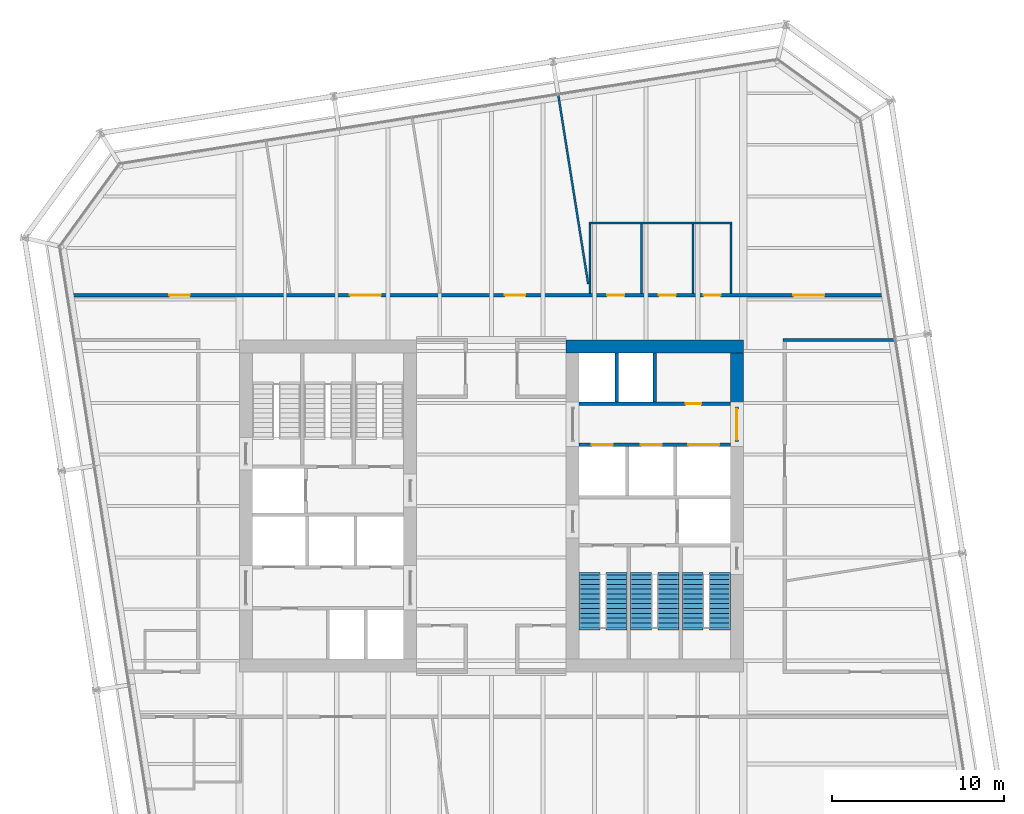
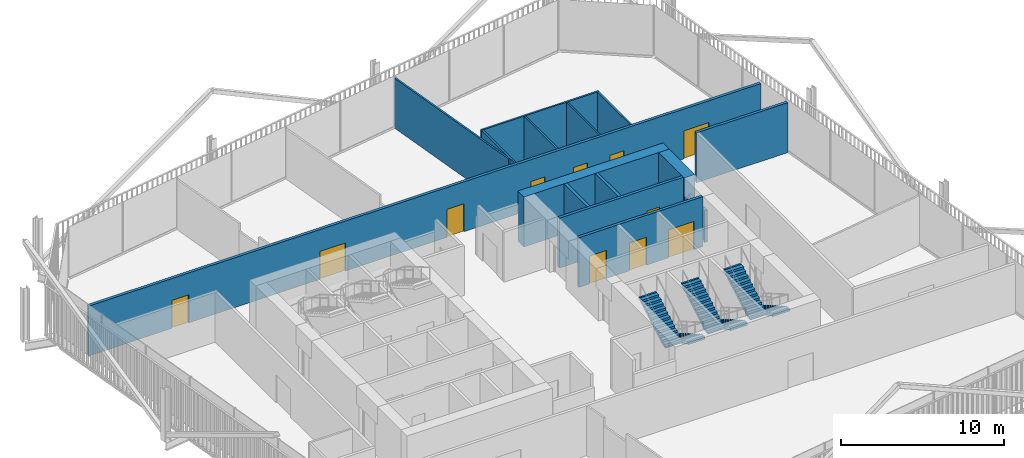
# One storey, part 20 of 22: 15 walls, 12 doors, 6 stair flights, 12 openings, 3 elements without a shape of their own.
"""IFC4 building model written with IfcOpenShell, lengths in metres."""

import ifcopenshell
import ifcopenshell.guid

model = None  # the IFC model being written
_history = None  # IfcOwnerHistory: only IFC2X3 demands one
_inside = {}  # id of a spatial element -> (the spatial element, [elements in it])
_under = {}  # id of a project, library or spatial element -> (it, [spatial elements below it])
_declared = {}  # id of a project -> (the project, [libraries it declares])
_typed = {}  # id of a type object -> (the type object, [elements of that type])
_made_of = {}  # id of a material, layer set ... -> (it, [elements and type objects made of it])


def new_model(schema):
    """Start an empty IFC model of exactly this schema.

    Asked for "IFC4X3", IfcOpenShell would pick the latest addendum, in which some entities
    have other attributes; the version numbers below select the first issue.
    IFC2X3 requires an IfcOwnerHistory on every rooted entity: one is made here for all.
    """
    global model, _history
    if schema == "IFC4X3":
        model = ifcopenshell.file(schema_version=(4, 3, 0, 0))
    else:
        model = ifcopenshell.file(schema=schema)
    _inside.clear()
    _under.clear()
    _declared.clear()
    _typed.clear()
    _made_of.clear()
    _history = None
    if model.schema == "IFC2X3":
        org = make("IfcOrganization", Name="unknown")
        user = make(
            "IfcPersonAndOrganization",
            ThePerson=make("IfcPerson", FamilyName="unknown"),
            TheOrganization=org,
        )
        app = make(
            "IfcApplication",
            ApplicationDeveloper=org,
            Version="unknown",
            ApplicationFullName="unknown",
            ApplicationIdentifier="unknown",
        )
        _history = make(
            "IfcOwnerHistory",
            OwningUser=user,
            OwningApplication=app,
            ChangeAction="ADDED",
            CreationDate=0,
        )
    return model


def make(cls, **values):
    """One entity of the class cls with the attributes given. An attribute that is None is left unset."""
    return model.create_entity(
        cls, **{name: value for name, value in values.items() if value is not None}
    )


def rooted(cls, **values):
    """An entity with a GlobalId (a new one), such as an element, a storey or a relation."""
    return make(cls, GlobalId=ifcopenshell.guid.new(), OwnerHistory=_history, **values)


def si_unit(unit_type, name, prefix=None):
    """IfcSIUnit, for example si_unit("LENGTHUNIT", "METRE", prefix="MILLI")."""
    return make("IfcSIUnit", UnitType=unit_type, Prefix=prefix, Name=name)


def assignment(units):
    """IfcUnitAssignment: the units of a project."""
    return None if units is None else make("IfcUnitAssignment", Units=units)


def point(xyz):
    """IfcCartesianPoint."""
    return None if xyz is None else make("IfcCartesianPoint", Coordinates=xyz)


def direction(xyz):
    """IfcDirection."""
    return None if xyz is None else make("IfcDirection", DirectionRatios=xyz)


def frame(location, z_axis=None, x_axis=None):
    """IfcAxis2Placement3D, a coordinate frame: its origin and axes. An axis left out is left unset."""
    return make(
        "IfcAxis2Placement3D",
        Location=point(location),
        Axis=direction(z_axis),
        RefDirection=direction(x_axis),
    )


def frame_2d(location, x_axis=None):
    """IfcAxis2Placement2D, a coordinate frame in the plane: its origin and x axis."""
    return make(
        "IfcAxis2Placement2D", Location=point(location), RefDirection=direction(x_axis)
    )


def origin():
    """The frame at (0, 0, 0) with its axes left unset."""
    return frame((0.0, 0.0, 0.0))


def place(relative_to, where):
    """IfcLocalPlacement: puts the frame where relative to a parent placement (None: the world)."""
    return make(
        "IfcLocalPlacement", PlacementRelTo=relative_to, RelativePlacement=where
    )


def context(
    kind, dimensions, precision=None, world=None, true_north=None, identifier=None
):
    """IfcGeometricRepresentationContext, for example the 3D "Model" context."""
    return make(
        "IfcGeometricRepresentationContext",
        ContextIdentifier=identifier,
        ContextType=kind,
        CoordinateSpaceDimension=dimensions,
        Precision=precision,
        WorldCoordinateSystem=world,
        TrueNorth=true_north,
    )


def subcontext(parent, identifier, kind, view, scale=None):
    """IfcGeometricRepresentationSubContext, for example "Body" below "Model"."""
    return make(
        "IfcGeometricRepresentationSubContext",
        ContextIdentifier=identifier,
        ContextType=kind,
        ParentContext=parent,
        TargetScale=scale,
        TargetView=view,
    )


def project(units=None, contexts=None):
    """IfcProject with its units and contexts."""
    return rooted(
        "IfcProject",
        Name="project",
        RepresentationContexts=contexts,
        UnitsInContext=assignment(units),
    )


def spatial(cls, under=None, at=None, **own):
    """A site, building, storey or space (cls), placed at a placement, below another one or the project."""
    s = rooted(cls, ObjectPlacement=at, **own)
    if under is not None:
        _under.setdefault(under.id(), (under, []))[1].append(s)
    return s


def polyline(points):
    """IfcPolyline through the points."""
    return make("IfcPolyline", Points=[point(p) for p in points])


def profile(cls, at=None, kind="AREA", **sizes):
    """A parametric profile (cls). Its sizes go by their IFC names, for example OverallWidth=200.0."""
    return make(cls, ProfileType=kind, Position=at, **sizes)


def rectangle(**sizes):
    """IfcRectangleProfileDef."""
    return profile("IfcRectangleProfileDef", **sizes)


def outline(outer, holes=None, kind="AREA"):
    """IfcArbitraryClosedProfileDef: a profile drawn as a closed curve; with holes, ...WithVoids."""
    if holes is None:
        return make("IfcArbitraryClosedProfileDef", ProfileType=kind, OuterCurve=outer)
    return make(
        "IfcArbitraryProfileDefWithVoids",
        ProfileType=kind,
        OuterCurve=outer,
        InnerCurves=holes,
    )


def extrude(swept, where, along, depth):
    """IfcExtrudedAreaSolid: the profile swept, set in the frame where, extruded along a direction by depth."""
    return make(
        "IfcExtrudedAreaSolid",
        SweptArea=swept,
        Position=where,
        ExtrudedDirection=direction(along),
        Depth=depth,
    )


def shape(context_of_items, identifier, shape_type, items):
    """IfcShapeRepresentation: the items that make up one representation, for example the "Body"."""
    return make(
        "IfcShapeRepresentation",
        ContextOfItems=context_of_items,
        RepresentationIdentifier=identifier,
        RepresentationType=shape_type,
        Items=items,
    )


def material(Name=None, Category=None):
    """IfcMaterial."""
    return make("IfcMaterial", Name=Name, Category=Category)


def layer(
    of_material, thickness, ventilated=None, Name=None, Category=None, Priority=None
):
    """IfcMaterialLayer: one layer of a wall or slab, of a material (None: an air gap)."""
    return make(
        "IfcMaterialLayer",
        Material=of_material,
        LayerThickness=thickness,
        IsVentilated=ventilated,
        Name=Name,
        Category=Category,
        Priority=Priority,
    )


def layer_set(layers, Name=None):
    """IfcMaterialLayerSet."""
    return make("IfcMaterialLayerSet", MaterialLayers=layers, LayerSetName=Name)


def made_of(thing, what):
    """Note that an element or type object is made of a material, layer set ...; save() writes the relation."""
    if what is not None:
        _made_of.setdefault(what.id(), (what, []))[1].append(thing)
    return thing


def type_object(cls, material=None, **own):
    """A type object (cls), such as IfcWallType, which elements share."""
    return made_of(rooted(cls, **own), material)


def element(
    cls,
    number,
    at=None,
    inside=None,
    cuts=None,
    type_object=None,
    material=None,
    context=None,
    identifier="Body",
    shape_type=None,
    held_by="IfcProductDefinitionShape",
    body=None,
    shapes=None,
    **own,
):
    """One element of the class cls, such as IfcWall. Its Tag is "e" and its number.

    at: its placement. inside: the storey or other place that contains it. cuts: it is an
    opening in that element (IfcRelVoidsElement). A single representation is given by context,
    identifier, shape_type and body (its items); several are given by shapes. held_by: the class
    of the entity that holds the representations. save() writes the other relations.
    """
    e = rooted(cls, Tag="e%d" % number, ObjectPlacement=at, **own)
    if body is not None:
        shapes = [shape(context, identifier, shape_type, body)]
    if shapes is not None:
        e.Representation = make(held_by, Representations=shapes)
    if inside is not None:
        _inside.setdefault(inside.id(), (inside, []))[1].append(e)
    if cuts is not None:
        rooted(
            "IfcRelVoidsElement", RelatingBuildingElement=cuts, RelatedOpeningElement=e
        )
    if type_object is not None:
        _typed.setdefault(type_object.id(), (type_object, []))[1].append(e)
    return made_of(e, material)


def fill(opening, filler):
    """IfcRelFillsElement: the door or window that sits in an opening."""
    return rooted(
        "IfcRelFillsElement",
        RelatingOpeningElement=opening,
        RelatedBuildingElement=filler,
    )


def aggregate(whole, parts):
    """IfcRelAggregates: a whole, such as a stair, and the parts it consists of."""
    return rooted("IfcRelAggregates", RelatingObject=whole, RelatedObjects=parts)


def save(model, path):
    """Write the relations noted so far, then the file.

    IfcRelAggregates (storeys below a building ...), IfcRelContainedInSpatialStructure (elements
    in a storey), IfcRelDefinesByType, IfcRelAssociatesMaterial and IfcRelDeclares: one each for
    every whole, place, type object, material and project.
    """
    for whole, parts in _under.values():
        aggregate(whole, parts)
    for where, things in _inside.values():
        rooted(
            "IfcRelContainedInSpatialStructure",
            RelatedElements=things,
            RelatingStructure=where,
        )
    for kind, things in _typed.values():
        rooted("IfcRelDefinesByType", RelatedObjects=things, RelatingType=kind)
    for what, things in _made_of.values():
        rooted("IfcRelAssociatesMaterial", RelatedObjects=things, RelatingMaterial=what)
    for by, libraries in _declared.values():
        rooted("IfcRelDeclares", RelatingContext=by, RelatedDefinitions=libraries)
    model.write(path)


model = new_model("IFC4")

# Units and contexts
model_context = context("Model", 3, precision=1e-05, world=origin(), true_north=direction((0.0, 1.0)))
body_context = subcontext(model_context, "Body", "Model", "MODEL_VIEW")
ifc_project = project(units=[si_unit("LENGTHUNIT", "METRE"), si_unit("AREAUNIT", "SQUARE_METRE"), si_unit("VOLUMEUNIT", "CUBIC_METRE"), si_unit("PLANEANGLEUNIT", "RADIAN"), si_unit("MASSUNIT", "GRAM", prefix="KILO")], contexts=[model_context])

# Site, building, storey
site_placement = place(None, origin())
site = spatial("IfcSite", under=ifc_project, at=site_placement, CompositionType="ELEMENT")
building_placement = place(site_placement, origin())
building = spatial("IfcBuilding", under=site, at=building_placement, Name="Millrace Tower", CompositionType="ELEMENT")
storey_placement = place(building_placement, frame((0.0, 0.0, 160.699951171875)))
storey = spatial("IfcBuildingStorey", under=building, at=storey_placement, Name="L36", CompositionType="ELEMENT", Elevation=160.699951171875)

# Walls
ifc_material_1 = material(Name="Concrete C70", Category="concrete")
ifc_layer_1 = layer(ifc_material_1, 0.75)
ifc_layer_set_1 = layer_set([ifc_layer_1], Name="Concrete C70")
wall_type_1 = type_object("IfcWallType", Name="Core wall 750 Concrete C70", PredefinedType="SHEAR", material=ifc_layer_set_1)
wall_1_placement = place(storey_placement, frame((14.64990234375, 9.27490234375, 0.0), z_axis=(0.0, 0.0, 1.0), x_axis=(-1.0, 0.0, 0.0)))
element("IfcWall", 1, at=wall_1_placement, inside=storey, type_object=wall_type_1, Name="Core wall E L36", PredefinedType="SHEAR", context=body_context, shape_type="SweptSolid", body=[
    extrude(rectangle(XDim=10.2998046875, YDim=0.75, at=frame_2d((5.14990234375, 0.0))), origin(), (0.0, 0.0, 1.0), 3.739990234375),
])
wall_2_placement = place(storey_placement, frame((14.27490234375, 8.89990234375, 0.0), z_axis=(0.0, 0.0, 1.0), x_axis=(0.0, -1.0, 0.0)))
element("IfcWall", 2, at=wall_2_placement, inside=storey, type_object=wall_type_1, Name="Core wall E L36", PredefinedType="SHEAR", context=body_context, shape_type="SweptSolid", body=[
    extrude(rectangle(XDim=3.14990234375, YDim=0.75, at=frame_2d((1.574951171875, 0.0))), origin(), (0.0, 0.0, 1.0), 3.739990234375),
])
ifc_material_2 = material(Name="Masonry partition, fire-rated", Category="masonry")
ifc_layer_2 = layer(ifc_material_2, 0.199951171875)
ifc_layer_set_2 = layer_set([ifc_layer_2], Name="Masonry partition, fire-rated")
wall_type_2 = type_object("IfcWallType", Name="Corridor wall 200", PredefinedType="PARTITIONING", material=ifc_layer_set_2)
wall_3_placement = place(storey_placement, frame((16.949951171875, 9.64990234375, 0.0), z_axis=(0.0, 0.0, 1.0), x_axis=(1.0, 0.0, 0.0)))
element("IfcWall", 3, at=wall_3_placement, inside=storey, type_object=wall_type_2, Name="Corridor wall L36", PredefinedType="PARTITIONING", context=body_context, shape_type="SweptSolid", body=[
    extrude(rectangle(XDim=6.489501953125, YDim=0.199951171875, at=frame_2d((3.24462890625, 0.0))), origin(), (0.0, 0.0, 1.0), 3.739990234375),
])

# Wall, openings, doors
wall_4_placement = place(storey_placement, frame((-24.618896484375, 12.25, 0.0), z_axis=(0.0, 0.0, 1.0), x_axis=(1.0, 0.0, 0.0)))
wall_4 = element("IfcWall", 4, at=wall_4_placement, inside=storey, type_object=wall_type_2, Name="Corridor wall L36", PredefinedType="PARTITIONING", context=body_context, shape_type="SweptSolid", body=[
    extrude(rectangle(XDim=47.646484375, YDim=0.199951171875, at=frame_2d((23.8232421875, 0.0))), origin(), (0.0, 0.0, 1.0), 3.739990234375),
])
opening_1_placement = place(wall_4_placement, frame((5.89501953125, 0.0, 0.0)))
opening_1 = element("IfcOpeningElement", 5, at=opening_1_placement, cuts=wall_4, Name="Opening 36-P005", PredefinedType="OPENING", context=body_context, shape_type="SweptSolid", body=[
    extrude(rectangle(XDim=1.199951171875, YDim=2.10009765625, at=frame_2d((0.60009765625, 1.050048828125))), frame((0.0, 0.10986328125, 0.0), z_axis=(0.0, -1.0, 0.0), x_axis=(1.0, 0.0, 0.0)), (0.0, 0.0, 1.0), 0.219970703125),
])
opening_2_placement = place(wall_4_placement, frame((16.39306640625, 0.0, 0.0)))
opening_2 = element("IfcOpeningElement", 6, at=opening_2_placement, cuts=wall_4, Name="Opening 36-P006", PredefinedType="OPENING", context=body_context, shape_type="SweptSolid", body=[
    extrude(rectangle(XDim=1.800048828125, YDim=2.10009765625, at=frame_2d((0.89990234375, 1.050048828125))), frame((0.0, 0.10986328125, 0.0), z_axis=(0.0, -1.0, 0.0), x_axis=(1.0, 0.0, 0.0)), (0.0, 0.0, 1.0), 0.219970703125),
])
opening_3_placement = place(wall_4_placement, frame((25.400390625, 0.0, 0.0)))
opening_3 = element("IfcOpeningElement", 7, at=opening_3_placement, cuts=wall_4, Name="Opening 36-P007", PredefinedType="OPENING", context=body_context, shape_type="SweptSolid", body=[
    extrude(rectangle(XDim=1.199951171875, YDim=2.10009765625, at=frame_2d((0.60009765625, 1.050048828125))), frame((0.0, 0.10986328125, 0.0), z_axis=(0.0, -1.0, 0.0), x_axis=(1.0, 0.0, 0.0)), (0.0, 0.0, 1.0), 0.219970703125),
])
opening_4_placement = place(wall_4_placement, frame((42.175048828125, 0.0, 0.0)))
opening_4 = element("IfcOpeningElement", 8, at=opening_4_placement, cuts=wall_4, Name="Opening 36-P008", PredefinedType="OPENING", context=body_context, shape_type="SweptSolid", body=[
    extrude(rectangle(XDim=1.800048828125, YDim=2.10009765625, at=frame_2d((0.89990234375, 1.050048828125))), frame((0.0, 0.10986328125, 0.0), z_axis=(0.0, -1.0, 0.0), x_axis=(1.0, 0.0, 0.0)), (0.0, 0.0, 1.0), 0.219970703125),
])
opening_5_placement = place(wall_4_placement, frame((31.35400390625, 0.0, 0.0)))
opening_5 = element("IfcOpeningElement", 9, at=opening_5_placement, cuts=wall_4, Name="Opening 36-P009", PredefinedType="OPENING", context=body_context, shape_type="SweptSolid", body=[
    extrude(rectangle(XDim=1.0, YDim=2.10009765625, at=frame_2d((0.5, 1.050048828125))), frame((0.0, 0.10986328125, 0.0), z_axis=(0.0, -1.0, 0.0), x_axis=(1.0, 0.0, 0.0)), (0.0, 0.0, 1.0), 0.219970703125),
])
opening_6_placement = place(wall_4_placement, frame((34.35400390625, 0.0, 0.0)))
opening_6 = element("IfcOpeningElement", 10, at=opening_6_placement, cuts=wall_4, Name="Opening 36-P010", PredefinedType="OPENING", context=body_context, shape_type="SweptSolid", body=[
    extrude(rectangle(XDim=1.0, YDim=2.10009765625, at=frame_2d((0.5, 1.050048828125))), frame((0.0, 0.10986328125, 0.0), z_axis=(0.0, -1.0, 0.0), x_axis=(1.0, 0.0, 0.0)), (0.0, 0.0, 1.0), 0.219970703125),
])
opening_7_placement = place(wall_4_placement, frame((36.953857421875, 0.0, 0.0)))
opening_7 = element("IfcOpeningElement", 11, at=opening_7_placement, cuts=wall_4, Name="Opening 36-P011", PredefinedType="OPENING", context=body_context, shape_type="SweptSolid", body=[
    extrude(rectangle(XDim=1.0, YDim=2.10009765625, at=frame_2d((0.5, 1.050048828125))), frame((0.0, 0.10986328125, 0.0), z_axis=(0.0, -1.0, 0.0), x_axis=(1.0, 0.0, 0.0)), (0.0, 0.0, 1.0), 0.219970703125),
])
ifc_material_3 = material(Name="Steel door set, fire-rated", Category="steel")
door_type_1 = type_object("IfcDoorType", Name="Corridor door 1000 x 2100", OperationType="SINGLE_SWING_LEFT", PredefinedType="DOOR", material=ifc_material_3)
door_1_placement = place(opening_5_placement, origin())
door_1 = element("IfcDoor", 12, at=door_1_placement, inside=storey, type_object=door_type_1, Name="Door 36-P009", OperationType="SINGLE_SWING_RIGHT", OverallHeight=2.10009765625, OverallWidth=1.0, PredefinedType="DOOR", context=body_context, shape_type="SweptSolid", body=[
    extrude(rectangle(XDim=1.0, YDim=2.10009765625, at=frame_2d((0.5, 1.050048828125))), frame((0.0, 0.02490234375, 0.0), z_axis=(0.0, -1.0, 0.0), x_axis=(1.0, 0.0, 0.0)), (0.0, 0.0, 1.0), 0.050048828125),
])
fill(opening_5, door_1)
door_2_placement = place(opening_6_placement, origin())
door_2 = element("IfcDoor", 13, at=door_2_placement, inside=storey, type_object=door_type_1, Name="Door 36-P010", OperationType="SINGLE_SWING_RIGHT", OverallHeight=2.10009765625, OverallWidth=1.0, PredefinedType="DOOR", context=body_context, shape_type="SweptSolid", body=[
    extrude(rectangle(XDim=1.0, YDim=2.10009765625, at=frame_2d((0.5, 1.050048828125))), frame((0.0, 0.02490234375, 0.0), z_axis=(0.0, -1.0, 0.0), x_axis=(1.0, 0.0, 0.0)), (0.0, 0.0, 1.0), 0.050048828125),
])
fill(opening_6, door_2)
door_3_placement = place(opening_7_placement, origin())
door_3 = element("IfcDoor", 14, at=door_3_placement, inside=storey, type_object=door_type_1, Name="Door 36-P011", OperationType="SINGLE_SWING_RIGHT", OverallHeight=2.10009765625, OverallWidth=1.0, PredefinedType="DOOR", context=body_context, shape_type="SweptSolid", body=[
    extrude(rectangle(XDim=1.0, YDim=2.10009765625, at=frame_2d((0.5, 1.050048828125))), frame((0.0, 0.02490234375, 0.0), z_axis=(0.0, -1.0, 0.0), x_axis=(1.0, 0.0, 0.0)), (0.0, 0.0, 1.0), 0.050048828125),
])
fill(opening_7, door_3)
ifc_material_4 = material(Name="Steel door set, fire-rated", Category="steel")
door_type_2 = type_object("IfcDoorType", Name="Corridor door 1200 x 2100", OperationType="SINGLE_SWING_LEFT", PredefinedType="DOOR", material=ifc_material_4)
door_4_placement = place(opening_1_placement, origin())
door_4 = element("IfcDoor", 15, at=door_4_placement, inside=storey, type_object=door_type_2, Name="Door 36-P005", OperationType="SINGLE_SWING_LEFT", OverallHeight=2.10009765625, OverallWidth=1.199951171875, PredefinedType="DOOR", context=body_context, shape_type="SweptSolid", body=[
    extrude(rectangle(XDim=1.199951171875, YDim=2.10009765625, at=frame_2d((0.60009765625, 1.050048828125))), frame((0.0, 0.02490234375, 0.0), z_axis=(0.0, -1.0, 0.0), x_axis=(1.0, 0.0, 0.0)), (0.0, 0.0, 1.0), 0.050048828125),
])
fill(opening_1, door_4)
door_5_placement = place(opening_3_placement, origin())
door_5 = element("IfcDoor", 16, at=door_5_placement, inside=storey, type_object=door_type_2, Name="Door 36-P007", OperationType="SINGLE_SWING_RIGHT", OverallHeight=2.10009765625, OverallWidth=1.199951171875, PredefinedType="DOOR", context=body_context, shape_type="SweptSolid", body=[
    extrude(rectangle(XDim=1.199951171875, YDim=2.10009765625, at=frame_2d((0.60009765625, 1.050048828125))), frame((0.0, 0.02490234375, 0.0), z_axis=(0.0, -1.0, 0.0), x_axis=(1.0, 0.0, 0.0)), (0.0, 0.0, 1.0), 0.050048828125),
])
fill(opening_3, door_5)
ifc_material_5 = material(Name="Steel door set, fire-rated", Category="steel")
door_type_3 = type_object("IfcDoorType", Name="Corridor door 1800 x 2100", OperationType="DOUBLE_DOOR_SINGLE_SWING", PredefinedType="DOOR", material=ifc_material_5)
door_6_placement = place(opening_2_placement, origin())
door_6 = element("IfcDoor", 17, at=door_6_placement, inside=storey, type_object=door_type_3, Name="Door 36-P006", OperationType="DOUBLE_DOOR_SINGLE_SWING", OverallHeight=2.10009765625, OverallWidth=1.800048828125, PredefinedType="DOOR", context=body_context, shape_type="SweptSolid", body=[
    extrude(rectangle(XDim=1.800048828125, YDim=2.10009765625, at=frame_2d((0.89990234375, 1.050048828125))), frame((0.0, 0.02490234375, 0.0), z_axis=(0.0, -1.0, 0.0), x_axis=(1.0, 0.0, 0.0)), (0.0, 0.0, 1.0), 0.050048828125),
])
fill(opening_2, door_6)
door_7_placement = place(opening_4_placement, frame((1.800048828125, 0.0, 0.0), z_axis=(0.0, 0.0, 1.0), x_axis=(-1.0, 0.0, 0.0)))
door_7 = element("IfcDoor", 18, at=door_7_placement, inside=storey, type_object=door_type_3, Name="Door 36-P008", OperationType="DOUBLE_DOOR_SINGLE_SWING", OverallHeight=2.10009765625, OverallWidth=1.800048828125, PredefinedType="DOOR", context=body_context, shape_type="SweptSolid", body=[
    extrude(rectangle(XDim=1.800048828125, YDim=2.10009765625, at=frame_2d((0.89990234375, 1.050048828125))), frame((0.0, 0.02490234375, 0.0), z_axis=(0.0, -1.0, 0.0), x_axis=(1.0, 0.0, 0.0)), (0.0, 0.0, 1.0), 0.050048828125),
])
fill(opening_4, door_7)

# Wall, opening, door
ifc_material_6 = material(Name="Masonry partition, fire-rated", Category="masonry")
ifc_layer_3 = layer(ifc_material_6, 0.199951171875)
ifc_layer_set_3 = layer_set([ifc_layer_3], Name="Masonry partition, fire-rated")
wall_type_3 = type_object("IfcWallType", Name="Lift shaft wall 200", PredefinedType="PARTITIONING", material=ifc_layer_set_3)
wall_5_placement = place(storey_placement, frame((13.89990234375, 5.949951171875, 0.0), z_axis=(0.0, 0.0, 1.0), x_axis=(-1.0, 0.0, 0.0)))
wall_5 = element("IfcWall", 19, at=wall_5_placement, inside=storey, type_object=wall_type_3, Name="Lift shaft wall E L36", PredefinedType="PARTITIONING", context=body_context, shape_type="SweptSolid", body=[
    extrude(rectangle(XDim=8.7998046875, YDim=0.199951171875, at=frame_2d((4.39990234375, 0.0))), origin(), (0.0, 0.0, 1.0), 3.739990234375),
])
opening_8_placement = place(wall_5_placement, frame((1.699951171875, 0.0, 0.0)))
opening_8 = element("IfcOpeningElement", 20, at=opening_8_placement, cuts=wall_5, Name="Opening 36-C012", PredefinedType="OPENING", context=body_context, shape_type="SweptSolid", body=[
    extrude(rectangle(XDim=0.89990234375, YDim=2.10009765625, at=frame_2d((0.449951171875, 1.050048828125))), frame((0.0, 0.10986328125, 0.0), z_axis=(0.0, -1.0, 0.0), x_axis=(1.0, 0.0, 0.0)), (0.0, 0.0, 1.0), 0.219970703125),
])
ifc_material_7 = material(Name="Steel door, fire-rated", Category="steel")
door_type_4 = type_object("IfcDoorType", Name="Service room door 900 x 2100", OperationType="SINGLE_SWING_LEFT", PredefinedType="DOOR", material=ifc_material_7)
door_8_placement = place(opening_8_placement, frame((0.89990234375, 0.0, 0.0), z_axis=(0.0, 0.0, 1.0), x_axis=(-1.0, 0.0, 0.0)))
door_8 = element("IfcDoor", 21, at=door_8_placement, inside=storey, type_object=door_type_4, Name="Service room door 36-C012", OperationType="SINGLE_SWING_RIGHT", OverallHeight=2.10009765625, OverallWidth=0.89990234375, PredefinedType="DOOR", context=body_context, shape_type="SweptSolid", body=[
    extrude(rectangle(XDim=0.89990234375, YDim=2.10009765625, at=frame_2d((0.449951171875, 1.050048828125))), frame((0.0, 0.02490234375, 0.0), z_axis=(0.0, -1.0, 0.0), x_axis=(1.0, 0.0, 0.0)), (0.0, 0.0, 1.0), 0.050048828125),
])
fill(opening_8, door_8)

# Wall, openings, doors
wall_6_placement = place(storey_placement, frame((13.89990234375, 3.550048828125, 0.0), z_axis=(0.0, 0.0, 1.0), x_axis=(-1.0, 0.0, 0.0)))
wall_6 = element("IfcWall", 22, at=wall_6_placement, inside=storey, type_object=wall_type_3, Name="Lift shaft wall E L36", PredefinedType="PARTITIONING", context=body_context, shape_type="SweptSolid", body=[
    extrude(rectangle(XDim=8.7998046875, YDim=0.199951171875, at=frame_2d((4.39990234375, 0.0))), origin(), (0.0, 0.0, 1.0), 3.739990234375),
])
opening_9_placement = place(wall_6_placement, frame((0.64990234375, 0.0, 0.0)))
opening_9 = element("IfcOpeningElement", 23, at=opening_9_placement, cuts=wall_6, Name="Opening 36-LD13", PredefinedType="OPENING", context=body_context, shape_type="SweptSolid", body=[
    extrude(rectangle(XDim=1.800048828125, YDim=2.10009765625, at=frame_2d((0.89990234375, 1.050048828125))), frame((0.0, 0.10986328125, 0.0), z_axis=(0.0, -1.0, 0.0), x_axis=(1.0, 0.0, 0.0)), (0.0, 0.0, 1.0), 0.219970703125),
])
opening_10_placement = place(wall_6_placement, frame((4.0, 0.0, 0.0)))
opening_10 = element("IfcOpeningElement", 24, at=opening_10_placement, cuts=wall_6, Name="Opening 36-LD14", PredefinedType="OPENING", context=body_context, shape_type="SweptSolid", body=[
    extrude(rectangle(XDim=1.199951171875, YDim=2.10009765625, at=frame_2d((0.60009765625, 1.050048828125))), frame((0.0, 0.10986328125, 0.0), z_axis=(0.0, -1.0, 0.0), x_axis=(1.0, 0.0, 0.0)), (0.0, 0.0, 1.0), 0.219970703125),
])
opening_11_placement = place(wall_6_placement, frame((6.85009765625, 0.0, 0.0)))
opening_11 = element("IfcOpeningElement", 25, at=opening_11_placement, cuts=wall_6, Name="Opening 36-LD15", PredefinedType="OPENING", context=body_context, shape_type="SweptSolid", body=[
    extrude(rectangle(XDim=1.199951171875, YDim=2.10009765625, at=frame_2d((0.60009765625, 1.050048828125))), frame((0.0, 0.10986328125, 0.0), z_axis=(0.0, -1.0, 0.0), x_axis=(1.0, 0.0, 0.0)), (0.0, 0.0, 1.0), 0.219970703125),
])
ifc_material_8 = material(Name="Stainless steel, fire-rated", Category="steel")
door_type_5 = type_object("IfcDoorType", Name="Lift landing door 1200 x 2100", OperationType="DOUBLE_DOOR_SLIDING", PredefinedType="DOOR", material=ifc_material_8)
door_9_placement = place(opening_10_placement, origin())
door_9 = element("IfcDoor", 26, at=door_9_placement, inside=storey, type_object=door_type_5, Name="Lift landing door LF14 L36", OperationType="DOUBLE_DOOR_SLIDING", OverallHeight=2.10009765625, OverallWidth=1.199951171875, PredefinedType="DOOR", context=body_context, shape_type="SweptSolid", body=[
    extrude(rectangle(XDim=1.199951171875, YDim=2.10009765625, at=frame_2d((0.60009765625, 1.050048828125))), frame((0.0, 0.02490234375, 0.0), z_axis=(0.0, -1.0, 0.0), x_axis=(1.0, 0.0, 0.0)), (0.0, 0.0, 1.0), 0.050048828125),
])
fill(opening_10, door_9)
door_10_placement = place(opening_11_placement, origin())
door_10 = element("IfcDoor", 27, at=door_10_placement, inside=storey, type_object=door_type_5, Name="Lift landing door LF15 L36", OperationType="DOUBLE_DOOR_SLIDING", OverallHeight=2.10009765625, OverallWidth=1.199951171875, PredefinedType="DOOR", context=body_context, shape_type="SweptSolid", body=[
    extrude(rectangle(XDim=1.199951171875, YDim=2.10009765625, at=frame_2d((0.60009765625, 1.050048828125))), frame((0.0, 0.02490234375, 0.0), z_axis=(0.0, -1.0, 0.0), x_axis=(1.0, 0.0, 0.0)), (0.0, 0.0, 1.0), 0.050048828125),
])
fill(opening_11, door_10)
ifc_material_9 = material(Name="Stainless steel, fire-rated", Category="steel")
door_type_6 = type_object("IfcDoorType", Name="Lift landing door 1800 x 2100", OperationType="DOUBLE_DOOR_SLIDING", PredefinedType="DOOR", material=ifc_material_9)
door_11_placement = place(opening_9_placement, origin())
door_11 = element("IfcDoor", 28, at=door_11_placement, inside=storey, type_object=door_type_6, Name="Lift landing door LF13 L36", OperationType="DOUBLE_DOOR_SLIDING", OverallHeight=2.10009765625, OverallWidth=1.800048828125, PredefinedType="DOOR", context=body_context, shape_type="SweptSolid", body=[
    extrude(rectangle(XDim=1.800048828125, YDim=2.10009765625, at=frame_2d((0.89990234375, 1.050048828125))), frame((0.0, 0.02490234375, 0.0), z_axis=(0.0, -1.0, 0.0), x_axis=(1.0, 0.0, 0.0)), (0.0, 0.0, 1.0), 0.050048828125),
])
fill(opening_9, door_11)

# Walls
for number, where, z_axis, x_axis, name in (
    (29, (9.5, 8.89990234375, 0.0), (0.0, 0.0, 1.0), (0.0, -1.0, 0.0), "Lift shaft wall E L36"),
    (30, (7.300048828125, 8.89990234375, 0.0), (0.0, 0.0, 1.0), (0.0, -1.0, 0.0), "Lift shaft wall E L36"),
):
    element("IfcWall", number, at=place(storey_placement, frame(where, z_axis=z_axis, x_axis=x_axis)), inside=storey, type_object=wall_type_3, Name=name, PredefinedType="PARTITIONING", context=body_context, shape_type="SweptSolid", body=[
        extrude(rectangle(XDim=2.849853515625, YDim=0.199951171875, at=frame_2d((1.4248046875, 0.0))), origin(), (0.0, 0.0, 1.0), 3.739990234375),
    ])

# Wall, opening, door
ifc_material_10 = material(Name="Masonry partition, fire-rated", Category="masonry")
ifc_layer_4 = layer(ifc_material_10, 0.199951171875)
ifc_layer_set_4 = layer_set([ifc_layer_4], Name="Masonry partition, fire-rated")
wall_type_4 = type_object("IfcWallType", Name="Lobby wall 200", PredefinedType="PARTITIONING", material=ifc_layer_set_4)
wall_7_placement = place(storey_placement, frame((14.27490234375, 5.75, 0.0), z_axis=(0.0, 0.0, 1.0), x_axis=(0.0, -1.0, 0.0)))
wall_7 = element("IfcWall", 31, at=wall_7_placement, inside=storey, type_object=wall_type_4, Name="Lobby wall E L36", PredefinedType="PARTITIONING", context=body_context, shape_type="SweptSolid", body=[
    extrude(rectangle(XDim=2.0, YDim=0.199951171875, at=frame_2d((1.0, 0.0))), origin(), (0.0, 0.0, 1.0), 2.400146484375),
])
opening_12_placement = place(wall_7_placement, frame((0.10009765625, 0.0, 0.0)))
opening_12 = element("IfcOpeningElement", 32, at=opening_12_placement, cuts=wall_7, Name="Opening 36-C008", PredefinedType="OPENING", context=body_context, shape_type="SweptSolid", body=[
    extrude(rectangle(XDim=1.800048828125, YDim=2.10009765625, at=frame_2d((0.89990234375, 1.050048828125))), frame((0.0, 0.10986328125, 0.0), z_axis=(0.0, -1.0, 0.0), x_axis=(1.0, 0.0, 0.0)), (0.0, 0.0, 1.0), 0.219970703125),
])
ifc_material_11 = material(Name="Steel door, fire-rated", Category="steel")
door_type_7 = type_object("IfcDoorType", Name="Lobby door 1800 x 2100", OperationType="DOUBLE_DOOR_SINGLE_SWING", PredefinedType="DOOR", material=ifc_material_11)
door_12_placement = place(opening_12_placement, origin())
door_12 = element("IfcDoor", 33, at=door_12_placement, inside=storey, type_object=door_type_7, Name="Lobby door 36-C008", OperationType="DOUBLE_DOOR_SINGLE_SWING", OverallHeight=2.10009765625, OverallWidth=1.800048828125, PredefinedType="DOOR", context=body_context, shape_type="SweptSolid", body=[
    extrude(rectangle(XDim=1.800048828125, YDim=2.10009765625, at=frame_2d((0.89990234375, 1.050048828125))), frame((0.0, 0.02490234375, 0.0), z_axis=(0.0, -1.0, 0.0), x_axis=(1.0, 0.0, 0.0)), (0.0, 0.0, 1.0), 0.050048828125),
])
fill(opening_12, door_12)

# Walls
ifc_material_12 = material(Name="Gypsum board partition")
ifc_layer_5 = layer(ifc_material_12, 0.1201171875)
ifc_layer_set_5 = layer_set([ifc_layer_5], Name="Gypsum board partition")
wall_type_5 = type_object("IfcWallType", Name="Partition wall 120", PredefinedType="PARTITIONING", material=ifc_layer_set_5)
wall_8_placement = place(storey_placement, frame((3.89013671875, 23.8994140625, 0.0), z_axis=(0.0, 0.0, 1.0), x_axis=(0.15642784912, -0.987689388431, 0.0)))
element("IfcWall", 34, at=wall_8_placement, inside=storey, type_object=wall_type_5, Name="Partition wall L36", PredefinedType="PARTITIONING", context=body_context, shape_type="SweptSolid", body=[
    extrude(rectangle(XDim=11.1279296875, YDim=0.1201171875, at=frame_2d((5.56396484375, 0.0))), origin(), (0.0, 0.0, 1.0), 3.739990234375),
])
wall_9_placement = place(storey_placement, frame((5.675048828125, 16.449951171875, 0.0), z_axis=(0.0, 0.0, 1.0), x_axis=(1.0, 0.0, 0.0)))
element("IfcWall", 35, at=wall_9_placement, inside=storey, type_object=wall_type_5, Name="Partition wall L36", PredefinedType="PARTITIONING", context=body_context, shape_type="SweptSolid", body=[
    extrude(rectangle(XDim=8.320068359375, YDim=0.1201171875, at=frame_2d((4.16015625, 0.0))), origin(), (0.0, 0.0, 1.0), 3.739990234375),
])
for number, where, z_axis, x_axis, name in (
    (36, (13.93505859375, 12.35009765625, 0.0), (0.0, 0.0, 1.0), (0.0, 1.0, 0.0), "Partition wall L36"),
    (37, (11.735107421875, 12.35009765625, 0.0), (0.0, 0.0, 1.0), (0.0, 1.0, 0.0), "Partition wall L36"),
    (38, (8.735107421875, 12.35009765625, 0.0), (0.0, 0.0, 1.0), (0.0, 1.0, 0.0), "Partition wall L36"),
    (39, (5.735107421875, 12.35009765625, 0.0), (0.0, 0.0, 1.0), (0.0, 1.0, 0.0), "Partition wall L36"),
):
    element("IfcWall", number, at=place(storey_placement, frame(where, z_axis=z_axis, x_axis=x_axis)), inside=storey, type_object=wall_type_5, Name=name, PredefinedType="PARTITIONING", context=body_context, shape_type="SweptSolid", body=[
        extrude(rectangle(XDim=4.039794921875, YDim=0.1201171875, at=frame_2d((2.02001953125, 0.0))), origin(), (0.0, 0.0, 1.0), 3.739990234375),
    ])

# Stair, stair flights
ifc_material_13 = material(Name="Concrete C35", Category="concrete")
stair_type = type_object("IfcStairType", Name="Exit stair", PredefinedType="HALF_TURN_STAIR", material=ifc_material_13)
placement = place(storey_placement, origin())
stair_1 = element("IfcStair", 40, at=placement, inside=storey, type_object=stair_type, Name="Stair 1 E L36", PredefinedType="HALF_TURN_STAIR")
ifc_material_14 = material(Name="Concrete C35", Category="concrete")
stair_flight_type = type_object("IfcStairFlightType", Name="Exit stair flight", PredefinedType="STRAIGHT", material=ifc_material_14)
stair_flight_1_placement = place(storey_placement, frame((13.2900390625, -4.0, 0.0), z_axis=(0.0, 0.0, 1.0), x_axis=(0.0, -1.0, 0.0)))
stair_flight_1 = element("IfcStairFlight", 41, at=stair_flight_1_placement, type_object=stair_flight_type, Name="ST12 flight 1", NumberOfRisers=12, NumberOfTreads=11, PredefinedType="STRAIGHT", RiserHeight=0.1625, TreadLength=0.28, context=body_context, shape_type="SweptSolid", body=[
    extrude(outline(polyline([(-0.1201171875, -0.0400390625), (-0.1201171875, 0.0), (0.0, 0.0), (0.0, 0.16259765625), (0.280029296875, 0.16259765625), (0.280029296875, 0.324951171875), (0.56005859375, 0.324951171875), (0.56005859375, 0.487548828125), (0.840087890625, 0.487548828125), (0.840087890625, 0.64990234375), (1.1201171875, 0.64990234375), (1.1201171875, 0.8125), (1.39990234375, 0.8125), (1.39990234375, 0.97509765625), (1.679931640625, 0.97509765625), (1.679931640625, 1.137451171875), (1.9599609375, 1.137451171875), (1.9599609375, 1.300048828125), (2.239990234375, 1.300048828125), (2.239990234375, 1.46240234375), (2.52001953125, 1.46240234375), (2.52001953125, 1.625), (2.800048828125, 1.625), (2.800048828125, 1.78759765625), (3.080078125, 1.78759765625), (3.080078125, 1.8076171875), (3.199951171875, 1.8076171875), (3.199951171875, 1.6142578125), (3.080078125, 1.6142578125), (0.298583984375, 0.0), (0.298583984375, -0.0400390625), (-0.1201171875, -0.0400390625)])), frame((0.0, 0.60986328125, 0.0), z_axis=(0.0, -1.0, 0.0), x_axis=(1.0, 0.0, 0.0)), (0.0, 0.0, 1.0), 1.219970703125),
])
stair_flight_2_placement = place(storey_placement, frame((11.7099609375, -7.080078125, 1.949951171875), z_axis=(0.0, 0.0, 1.0), x_axis=(0.0, 1.0, 0.0)))
stair_flight_2 = element("IfcStairFlight", 42, at=stair_flight_2_placement, type_object=stair_flight_type, Name="ST12 flight 2", NumberOfRisers=12, NumberOfTreads=11, PredefinedType="STRAIGHT", RiserHeight=0.1625, TreadLength=0.28, context=body_context, shape_type="SweptSolid", body=[
    extrude(outline(polyline([(-0.1201171875, -0.0400390625), (-0.1201171875, 0.0), (0.0, 0.0), (0.0, 0.16259765625), (0.280029296875, 0.16259765625), (0.280029296875, 0.324951171875), (0.56005859375, 0.324951171875), (0.56005859375, 0.487548828125), (0.840087890625, 0.487548828125), (0.840087890625, 0.64990234375), (1.1201171875, 0.64990234375), (1.1201171875, 0.8125), (1.39990234375, 0.8125), (1.39990234375, 0.97509765625), (1.679931640625, 0.97509765625), (1.679931640625, 1.137451171875), (1.9599609375, 1.137451171875), (1.9599609375, 1.300048828125), (2.239990234375, 1.300048828125), (2.239990234375, 1.46240234375), (2.52001953125, 1.46240234375), (2.52001953125, 1.625), (2.800048828125, 1.625), (2.800048828125, 1.78759765625), (3.080078125, 1.78759765625), (3.080078125, 1.8076171875), (3.199951171875, 1.8076171875), (3.199951171875, 1.6142578125), (3.080078125, 1.6142578125), (0.298583984375, 0.0), (0.298583984375, -0.0400390625), (-0.1201171875, -0.0400390625)])), frame((0.0, 0.60986328125, 0.0), z_axis=(0.0, -1.0, 0.0), x_axis=(1.0, 0.0, 0.0)), (0.0, 0.0, 1.0), 1.219970703125),
])
aggregate(stair_1, [stair_flight_1, stair_flight_2])

stair_2 = element("IfcStair", 43, at=placement, inside=storey, type_object=stair_type, Name="Stair 2 E L36", PredefinedType="HALF_TURN_STAIR")
stair_flight_3_placement = place(storey_placement, frame((10.2900390625, -4.0, 0.0), z_axis=(0.0, 0.0, 1.0), x_axis=(0.0, -1.0, 0.0)))
stair_flight_3 = element("IfcStairFlight", 44, at=stair_flight_3_placement, type_object=stair_flight_type, Name="ST12 flight 1", NumberOfRisers=12, NumberOfTreads=11, PredefinedType="STRAIGHT", RiserHeight=0.1625, TreadLength=0.28, context=body_context, shape_type="SweptSolid", body=[
    extrude(outline(polyline([(-0.1201171875, -0.0400390625), (-0.1201171875, 0.0), (0.0, 0.0), (0.0, 0.16259765625), (0.280029296875, 0.16259765625), (0.280029296875, 0.324951171875), (0.56005859375, 0.324951171875), (0.56005859375, 0.487548828125), (0.840087890625, 0.487548828125), (0.840087890625, 0.64990234375), (1.1201171875, 0.64990234375), (1.1201171875, 0.8125), (1.39990234375, 0.8125), (1.39990234375, 0.97509765625), (1.679931640625, 0.97509765625), (1.679931640625, 1.137451171875), (1.9599609375, 1.137451171875), (1.9599609375, 1.300048828125), (2.239990234375, 1.300048828125), (2.239990234375, 1.46240234375), (2.52001953125, 1.46240234375), (2.52001953125, 1.625), (2.800048828125, 1.625), (2.800048828125, 1.78759765625), (3.080078125, 1.78759765625), (3.080078125, 1.8076171875), (3.199951171875, 1.8076171875), (3.199951171875, 1.6142578125), (3.080078125, 1.6142578125), (0.298583984375, 0.0), (0.298583984375, -0.0400390625), (-0.1201171875, -0.0400390625)])), frame((0.0, 0.60986328125, 0.0), z_axis=(0.0, -1.0, 0.0), x_axis=(1.0, 0.0, 0.0)), (0.0, 0.0, 1.0), 1.219970703125),
])
stair_flight_4_placement = place(storey_placement, frame((8.7099609375, -7.080078125, 1.949951171875), z_axis=(0.0, 0.0, 1.0), x_axis=(0.0, 1.0, 0.0)))
stair_flight_4 = element("IfcStairFlight", 45, at=stair_flight_4_placement, type_object=stair_flight_type, Name="ST12 flight 2", NumberOfRisers=12, NumberOfTreads=11, PredefinedType="STRAIGHT", RiserHeight=0.1625, TreadLength=0.28, context=body_context, shape_type="SweptSolid", body=[
    extrude(outline(polyline([(-0.1201171875, -0.0400390625), (-0.1201171875, 0.0), (0.0, 0.0), (0.0, 0.16259765625), (0.280029296875, 0.16259765625), (0.280029296875, 0.324951171875), (0.56005859375, 0.324951171875), (0.56005859375, 0.487548828125), (0.840087890625, 0.487548828125), (0.840087890625, 0.64990234375), (1.1201171875, 0.64990234375), (1.1201171875, 0.8125), (1.39990234375, 0.8125), (1.39990234375, 0.97509765625), (1.679931640625, 0.97509765625), (1.679931640625, 1.137451171875), (1.9599609375, 1.137451171875), (1.9599609375, 1.300048828125), (2.239990234375, 1.300048828125), (2.239990234375, 1.46240234375), (2.52001953125, 1.46240234375), (2.52001953125, 1.625), (2.800048828125, 1.625), (2.800048828125, 1.78759765625), (3.080078125, 1.78759765625), (3.080078125, 1.8076171875), (3.199951171875, 1.8076171875), (3.199951171875, 1.6142578125), (3.080078125, 1.6142578125), (0.298583984375, 0.0), (0.298583984375, -0.0400390625), (-0.1201171875, -0.0400390625)])), frame((0.0, 0.60986328125, 0.0), z_axis=(0.0, -1.0, 0.0), x_axis=(1.0, 0.0, 0.0)), (0.0, 0.0, 1.0), 1.219970703125),
])
aggregate(stair_2, [stair_flight_3, stair_flight_4])

stair_3 = element("IfcStair", 46, at=placement, inside=storey, type_object=stair_type, Name="Stair 3 E L36", PredefinedType="HALF_TURN_STAIR")
stair_flight_5_placement = place(storey_placement, frame((7.2900390625, -4.0, 0.0), z_axis=(0.0, 0.0, 1.0), x_axis=(0.0, -1.0, 0.0)))
stair_flight_5 = element("IfcStairFlight", 47, at=stair_flight_5_placement, type_object=stair_flight_type, Name="ST12 flight 1", NumberOfRisers=12, NumberOfTreads=11, PredefinedType="STRAIGHT", RiserHeight=0.1625, TreadLength=0.28, context=body_context, shape_type="SweptSolid", body=[
    extrude(outline(polyline([(-0.1201171875, -0.0400390625), (-0.1201171875, 0.0), (0.0, 0.0), (0.0, 0.16259765625), (0.280029296875, 0.16259765625), (0.280029296875, 0.324951171875), (0.56005859375, 0.324951171875), (0.56005859375, 0.487548828125), (0.840087890625, 0.487548828125), (0.840087890625, 0.64990234375), (1.1201171875, 0.64990234375), (1.1201171875, 0.8125), (1.39990234375, 0.8125), (1.39990234375, 0.97509765625), (1.679931640625, 0.97509765625), (1.679931640625, 1.137451171875), (1.9599609375, 1.137451171875), (1.9599609375, 1.300048828125), (2.239990234375, 1.300048828125), (2.239990234375, 1.46240234375), (2.52001953125, 1.46240234375), (2.52001953125, 1.625), (2.800048828125, 1.625), (2.800048828125, 1.78759765625), (3.080078125, 1.78759765625), (3.080078125, 1.8076171875), (3.199951171875, 1.8076171875), (3.199951171875, 1.6142578125), (3.080078125, 1.6142578125), (0.298583984375, 0.0), (0.298583984375, -0.0400390625), (-0.1201171875, -0.0400390625)])), frame((0.0, 0.60986328125, 0.0), z_axis=(0.0, -1.0, 0.0), x_axis=(1.0, 0.0, 0.0)), (0.0, 0.0, 1.0), 1.219970703125),
])
stair_flight_6_placement = place(storey_placement, frame((5.7099609375, -7.080078125, 1.949951171875), z_axis=(0.0, 0.0, 1.0), x_axis=(0.0, 1.0, 0.0)))
stair_flight_6 = element("IfcStairFlight", 48, at=stair_flight_6_placement, type_object=stair_flight_type, Name="ST12 flight 2", NumberOfRisers=12, NumberOfTreads=11, PredefinedType="STRAIGHT", RiserHeight=0.1625, TreadLength=0.28, context=body_context, shape_type="SweptSolid", body=[
    extrude(outline(polyline([(-0.1201171875, -0.0400390625), (-0.1201171875, 0.0), (0.0, 0.0), (0.0, 0.16259765625), (0.280029296875, 0.16259765625), (0.280029296875, 0.324951171875), (0.56005859375, 0.324951171875), (0.56005859375, 0.487548828125), (0.840087890625, 0.487548828125), (0.840087890625, 0.64990234375), (1.1201171875, 0.64990234375), (1.1201171875, 0.8125), (1.39990234375, 0.8125), (1.39990234375, 0.97509765625), (1.679931640625, 0.97509765625), (1.679931640625, 1.137451171875), (1.9599609375, 1.137451171875), (1.9599609375, 1.300048828125), (2.239990234375, 1.300048828125), (2.239990234375, 1.46240234375), (2.52001953125, 1.46240234375), (2.52001953125, 1.625), (2.800048828125, 1.625), (2.800048828125, 1.78759765625), (3.080078125, 1.78759765625), (3.080078125, 1.8076171875), (3.199951171875, 1.8076171875), (3.199951171875, 1.6142578125), (3.080078125, 1.6142578125), (0.298583984375, 0.0), (0.298583984375, -0.0400390625), (-0.1201171875, -0.0400390625)])), frame((0.0, 0.60986328125, 0.0), z_axis=(0.0, -1.0, 0.0), x_axis=(1.0, 0.0, 0.0)), (0.0, 0.0, 1.0), 1.219970703125),
])
aggregate(stair_3, [stair_flight_5, stair_flight_6])

save(model, "model.ifc")
